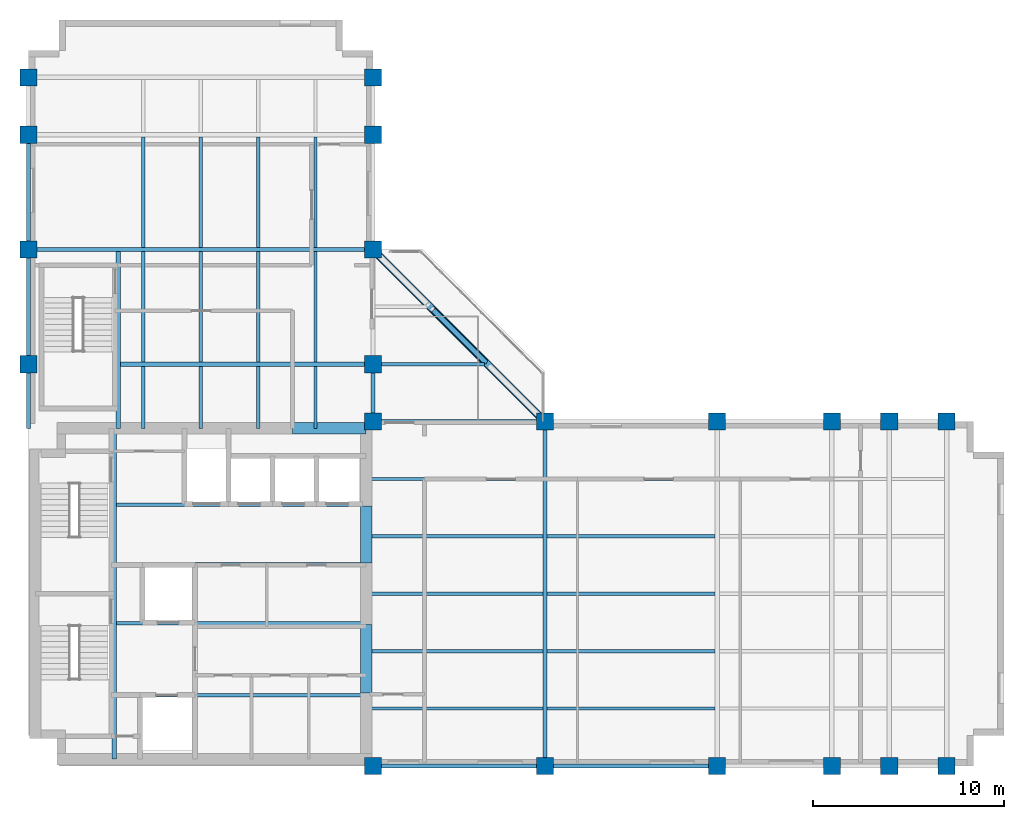
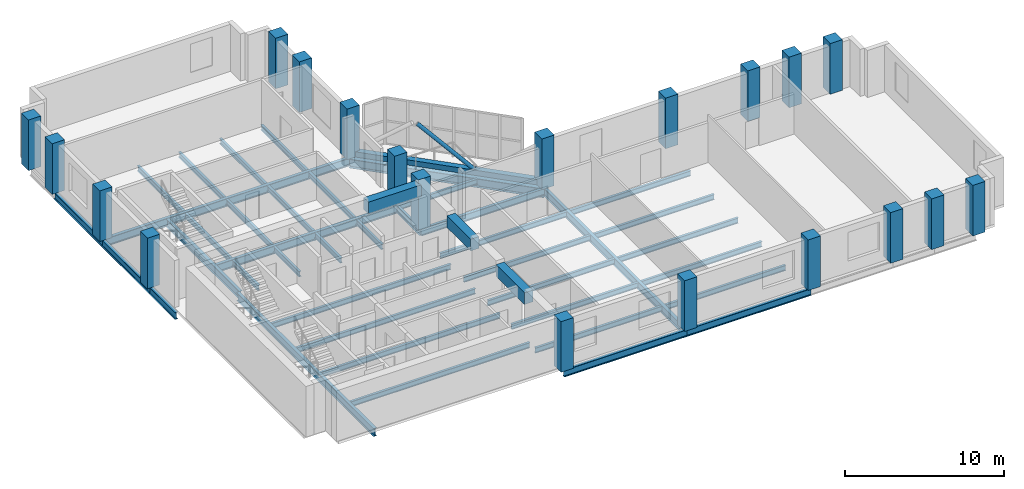
# One storey, part 1 of 9: 43 beams, 20 columns, 2 members.
"""IFC4 building model written with IfcOpenShell, lengths in metres."""

import ifcopenshell
import ifcopenshell.guid

model = None  # the IFC model being written
_history = None  # IfcOwnerHistory: only IFC2X3 demands one
_inside = {}  # id of a spatial element -> (the spatial element, [elements in it])
_under = {}  # id of a project, library or spatial element -> (it, [spatial elements below it])
_declared = {}  # id of a project -> (the project, [libraries it declares])
_typed = {}  # id of a type object -> (the type object, [elements of that type])
_made_of = {}  # id of a material, layer set ... -> (it, [elements and type objects made of it])


def new_model(schema):
    """Start an empty IFC model of exactly this schema.

    Asked for "IFC4X3", IfcOpenShell would pick the latest addendum, in which some entities
    have other attributes; the version numbers below select the first issue.
    IFC2X3 requires an IfcOwnerHistory on every rooted entity: one is made here for all.
    """
    global model, _history
    if schema == "IFC4X3":
        model = ifcopenshell.file(schema_version=(4, 3, 0, 0))
    else:
        model = ifcopenshell.file(schema=schema)
    _inside.clear()
    _under.clear()
    _declared.clear()
    _typed.clear()
    _made_of.clear()
    _history = None
    if model.schema == "IFC2X3":
        org = make("IfcOrganization", Name="unknown")
        user = make(
            "IfcPersonAndOrganization",
            ThePerson=make("IfcPerson", FamilyName="unknown"),
            TheOrganization=org,
        )
        app = make(
            "IfcApplication",
            ApplicationDeveloper=org,
            Version="unknown",
            ApplicationFullName="unknown",
            ApplicationIdentifier="unknown",
        )
        _history = make(
            "IfcOwnerHistory",
            OwningUser=user,
            OwningApplication=app,
            ChangeAction="ADDED",
            CreationDate=0,
        )
    return model


def make(cls, **values):
    """One entity of the class cls with the attributes given. An attribute that is None is left unset."""
    return model.create_entity(
        cls, **{name: value for name, value in values.items() if value is not None}
    )


def rooted(cls, **values):
    """An entity with a GlobalId (a new one), such as an element, a storey or a relation."""
    return make(cls, GlobalId=ifcopenshell.guid.new(), OwnerHistory=_history, **values)


def si_unit(unit_type, name, prefix=None):
    """IfcSIUnit, for example si_unit("LENGTHUNIT", "METRE", prefix="MILLI")."""
    return make("IfcSIUnit", UnitType=unit_type, Prefix=prefix, Name=name)


def assignment(units):
    """IfcUnitAssignment: the units of a project."""
    return None if units is None else make("IfcUnitAssignment", Units=units)


def point(xyz):
    """IfcCartesianPoint."""
    return None if xyz is None else make("IfcCartesianPoint", Coordinates=xyz)


def direction(xyz):
    """IfcDirection."""
    return None if xyz is None else make("IfcDirection", DirectionRatios=xyz)


def frame(location, z_axis=None, x_axis=None):
    """IfcAxis2Placement3D, a coordinate frame: its origin and axes. An axis left out is left unset."""
    return make(
        "IfcAxis2Placement3D",
        Location=point(location),
        Axis=direction(z_axis),
        RefDirection=direction(x_axis),
    )


def frame_2d(location, x_axis=None):
    """IfcAxis2Placement2D, a coordinate frame in the plane: its origin and x axis."""
    return make(
        "IfcAxis2Placement2D", Location=point(location), RefDirection=direction(x_axis)
    )


def origin():
    """The frame at (0, 0, 0) with its axes left unset."""
    return frame((0.0, 0.0, 0.0))


def origin_2d():
    """The frame at (0, 0) in the plane with its x axis left unset."""
    return frame_2d((0.0, 0.0))


def place(relative_to, where):
    """IfcLocalPlacement: puts the frame where relative to a parent placement (None: the world)."""
    return make(
        "IfcLocalPlacement", PlacementRelTo=relative_to, RelativePlacement=where
    )


def context(
    kind, dimensions, precision=None, world=None, true_north=None, identifier=None
):
    """IfcGeometricRepresentationContext, for example the 3D "Model" context."""
    return make(
        "IfcGeometricRepresentationContext",
        ContextIdentifier=identifier,
        ContextType=kind,
        CoordinateSpaceDimension=dimensions,
        Precision=precision,
        WorldCoordinateSystem=world,
        TrueNorth=true_north,
    )


def subcontext(parent, identifier, kind, view, scale=None):
    """IfcGeometricRepresentationSubContext, for example "Body" below "Model"."""
    return make(
        "IfcGeometricRepresentationSubContext",
        ContextIdentifier=identifier,
        ContextType=kind,
        ParentContext=parent,
        TargetScale=scale,
        TargetView=view,
    )


def project(units=None, contexts=None):
    """IfcProject with its units and contexts."""
    return rooted(
        "IfcProject",
        Name="project",
        RepresentationContexts=contexts,
        UnitsInContext=assignment(units),
    )


def spatial(cls, under=None, at=None, **own):
    """A site, building, storey or space (cls), placed at a placement, below another one or the project."""
    s = rooted(cls, ObjectPlacement=at, **own)
    if under is not None:
        _under.setdefault(under.id(), (under, []))[1].append(s)
    return s


def profile(cls, at=None, kind="AREA", **sizes):
    """A parametric profile (cls). Its sizes go by their IFC names, for example OverallWidth=200.0."""
    return make(cls, ProfileType=kind, Position=at, **sizes)


def rectangle(**sizes):
    """IfcRectangleProfileDef."""
    return profile("IfcRectangleProfileDef", **sizes)


def hollow_rectangle(**sizes):
    """IfcRectangleHollowProfileDef."""
    return profile("IfcRectangleHollowProfileDef", **sizes)


def hollow_circle(**sizes):
    """IfcCircleHollowProfileDef."""
    return profile("IfcCircleHollowProfileDef", **sizes)


def i_section(**sizes):
    """IfcIShapeProfileDef."""
    return profile("IfcIShapeProfileDef", **sizes)


def extrude(swept, where, along, depth):
    """IfcExtrudedAreaSolid: the profile swept, set in the frame where, extruded along a direction by depth."""
    return make(
        "IfcExtrudedAreaSolid",
        SweptArea=swept,
        Position=where,
        ExtrudedDirection=direction(along),
        Depth=depth,
    )


def shape(context_of_items, identifier, shape_type, items):
    """IfcShapeRepresentation: the items that make up one representation, for example the "Body"."""
    return make(
        "IfcShapeRepresentation",
        ContextOfItems=context_of_items,
        RepresentationIdentifier=identifier,
        RepresentationType=shape_type,
        Items=items,
    )


def material(Name=None, Category=None):
    """IfcMaterial."""
    return make("IfcMaterial", Name=Name, Category=Category)


def material_profile(
    of_material, cross_section, Name=None, Category=None, Priority=None
):
    """IfcMaterialProfile: a cross section and its material."""
    return make(
        "IfcMaterialProfile",
        Name=Name,
        Material=of_material,
        Profile=cross_section,
        Priority=Priority,
        Category=Category,
    )


def profile_set(profiles, Name=None, composite=None):
    """IfcMaterialProfileSet."""
    return make(
        "IfcMaterialProfileSet",
        Name=Name,
        MaterialProfiles=profiles,
        CompositeProfile=composite,
    )


def made_of(thing, what):
    """Note that an element or type object is made of a material, layer set ...; save() writes the relation."""
    if what is not None:
        _made_of.setdefault(what.id(), (what, []))[1].append(thing)
    return thing


def type_object(cls, material=None, **own):
    """A type object (cls), such as IfcWallType, which elements share."""
    return made_of(rooted(cls, **own), material)


def element(
    cls,
    number,
    at=None,
    inside=None,
    cuts=None,
    type_object=None,
    material=None,
    context=None,
    identifier="Body",
    shape_type=None,
    held_by="IfcProductDefinitionShape",
    body=None,
    shapes=None,
    **own,
):
    """One element of the class cls, such as IfcWall. Its Tag is "e" and its number.

    at: its placement. inside: the storey or other place that contains it. cuts: it is an
    opening in that element (IfcRelVoidsElement). A single representation is given by context,
    identifier, shape_type and body (its items); several are given by shapes. held_by: the class
    of the entity that holds the representations. save() writes the other relations.
    """
    e = rooted(cls, Tag="e%d" % number, ObjectPlacement=at, **own)
    if body is not None:
        shapes = [shape(context, identifier, shape_type, body)]
    if shapes is not None:
        e.Representation = make(held_by, Representations=shapes)
    if inside is not None:
        _inside.setdefault(inside.id(), (inside, []))[1].append(e)
    if cuts is not None:
        rooted(
            "IfcRelVoidsElement", RelatingBuildingElement=cuts, RelatedOpeningElement=e
        )
    if type_object is not None:
        _typed.setdefault(type_object.id(), (type_object, []))[1].append(e)
    return made_of(e, material)


def aggregate(whole, parts):
    """IfcRelAggregates: a whole, such as a stair, and the parts it consists of."""
    return rooted("IfcRelAggregates", RelatingObject=whole, RelatedObjects=parts)


def save(model, path):
    """Write the relations noted so far, then the file.

    IfcRelAggregates (storeys below a building ...), IfcRelContainedInSpatialStructure (elements
    in a storey), IfcRelDefinesByType, IfcRelAssociatesMaterial and IfcRelDeclares: one each for
    every whole, place, type object, material and project.
    """
    for whole, parts in _under.values():
        aggregate(whole, parts)
    for where, things in _inside.values():
        rooted(
            "IfcRelContainedInSpatialStructure",
            RelatedElements=things,
            RelatingStructure=where,
        )
    for kind, things in _typed.values():
        rooted("IfcRelDefinesByType", RelatedObjects=things, RelatingType=kind)
    for what, things in _made_of.values():
        rooted("IfcRelAssociatesMaterial", RelatedObjects=things, RelatingMaterial=what)
    for by, libraries in _declared.values():
        rooted("IfcRelDeclares", RelatingContext=by, RelatedDefinitions=libraries)
    model.write(path)


model = new_model("IFC4")

# Units and contexts
model_context = context("Model", 3, precision=1e-05, world=origin(), true_north=direction((0.0, 1.0)))
body_context = subcontext(model_context, "Body", "Model", "MODEL_VIEW")
ifc_project = project(units=[si_unit("LENGTHUNIT", "METRE"), si_unit("AREAUNIT", "SQUARE_METRE"), si_unit("VOLUMEUNIT", "CUBIC_METRE"), si_unit("PLANEANGLEUNIT", "RADIAN"), si_unit("MASSUNIT", "GRAM", prefix="KILO")], contexts=[model_context])

# Site, building, storey
site_placement = place(None, origin())
site = spatial("IfcSite", under=ifc_project, at=site_placement, CompositionType="ELEMENT")
building_placement = place(site_placement, origin())
building = spatial("IfcBuilding", under=site, at=building_placement, Name="Mawjdan Bourse Tower", CompositionType="ELEMENT")
storey_placement = place(building_placement, frame((0.0, 0.0, 222.89990234375)))
storey = spatial("IfcBuildingStorey", under=building, at=storey_placement, Name="L54", CompositionType="ELEMENT", Elevation=222.89990234375)

# Columns
ifc_material_1 = material(Name="Concrete C70/85", Category="concrete")
ifc_material_profile_1 = material_profile(ifc_material_1, rectangle(XDim=0.89990234375, YDim=0.89990234375, at=origin_2d()), Name="RC900X900")
ifc_profile_set_1 = profile_set([ifc_material_profile_1], Name="Concrete C70/85")
column_type = type_object("IfcColumnType", Name="COL-RC900X900", PredefinedType="COLUMN", material=ifc_profile_set_1)
for number, where, z_axis, x_axis, name in (
    (1, (24.0, 3.0, 0.0), (0.0, 0.0, 1.0), (1.0, 0.0, 0.0), "L54 Structural Column C-X240-Y30"),
    (2, (24.0, 21.0, 0.0), (0.0, 0.0, 1.0), (1.0, 0.0, 0.0), "L54 Structural Column C-X240-Y210"),
    (3, (33.0, 3.0, 0.0), (0.0, 0.0, 1.0), (1.0, 0.0, 0.0), "L54 Structural Column C-X330-Y30"),
    (4, (33.0, 21.0, 0.0), (0.0, 0.0, 1.0), (1.0, 0.0, 0.0), "L54 Structural Column C-X330-Y210"),
    (5, (42.0, 3.0, 0.0), (0.0, 0.0, 1.0), (1.0, 0.0, 0.0), "L54 Structural Column C-X420-Y30"),
    (6, (42.0, 21.0, 0.0), (0.0, 0.0, 1.0), (1.0, 0.0, 0.0), "L54 Structural Column C-X420-Y210"),
    (7, (48.0, 3.0, 0.0), (0.0, 0.0, 1.0), (1.0, 0.0, 0.0), "L54 Structural Column C-X480-Y30"),
    (8, (48.0, 21.0, 0.0), (0.0, 0.0, 1.0), (1.0, 0.0, 0.0), "L54 Structural Column C-X480-Y210"),
    (9, (51.0, 3.0, 0.0), (0.0, 0.0, 1.0), (1.0, 0.0, 0.0), "L54 Structural Column C-X510-Y30"),
    (10, (51.0, 21.0, 0.0), (0.0, 0.0, 1.0), (1.0, 0.0, 0.0), "L54 Structural Column C-X510-Y210"),
    (11, (54.0, 3.0, 0.0), (0.0, 0.0, 1.0), (1.0, 0.0, 0.0), "L54 Structural Column C-X540-Y30"),
    (12, (54.0, 21.0, 0.0), (0.0, 0.0, 1.0), (1.0, 0.0, 0.0), "L54 Structural Column C-X540-Y210"),
    (13, (6.0, 24.0, 0.0), (0.0, 0.0, 1.0), (1.0, 0.0, 0.0), "L54 Structural Column C-X60-Y240"),
    (14, (24.0, 24.0, 0.0), (0.0, 0.0, 1.0), (1.0, 0.0, 0.0), "L54 Structural Column C-X240-Y240"),
    (15, (6.0, 30.0, 0.0), (0.0, 0.0, 1.0), (1.0, 0.0, 0.0), "L54 Structural Column C-X60-Y300"),
    (16, (24.0, 30.0, 0.0), (0.0, 0.0, 1.0), (1.0, 0.0, 0.0), "L54 Structural Column C-X240-Y300"),
    (17, (6.0, 36.0, 0.0), (0.0, 0.0, 1.0), (1.0, 0.0, 0.0), "L54 Structural Column C-X60-Y360"),
    (18, (24.0, 36.0, 0.0), (0.0, 0.0, 1.0), (1.0, 0.0, 0.0), "L54 Structural Column C-X240-Y360"),
    (19, (6.0, 39.0, 0.0), (0.0, 0.0, 1.0), (1.0, 0.0, 0.0), "L54 Structural Column C-X60-Y390"),
    (20, (24.0, 39.0, 0.0), (0.0, 0.0, 1.0), (1.0, 0.0, 0.0), "L54 Structural Column C-X240-Y390"),
):
    element("IfcColumn", number, at=place(storey_placement, frame(where, z_axis=z_axis, x_axis=x_axis)), inside=storey, type_object=column_type, Name=name, PredefinedType="COLUMN", context=body_context, shape_type="SweptSolid", body=[
        extrude(rectangle(XDim=0.89990234375, YDim=0.89990234375, at=origin_2d()), origin(), (0.0, 0.0, 1.0), 3.900146484375),
    ])

# Member
ifc_material_2 = material(Name="Structural Steel S355", Category="steel")
ifc_material_profile_2 = material_profile(ifc_material_2, hollow_circle(Radius=0.136474609375, WallThickness=0.012451171875, at=origin_2d()), Name="CHS273X12.5")
ifc_profile_set_2 = profile_set([ifc_material_profile_2], Name="Structural Steel S355")
member_type_1 = type_object("IfcMemberType", Name="BRC-CHS273X12.5", PredefinedType="BRACE", material=ifc_profile_set_2)
member_1_placement = place(storey_placement, frame((27.1201171875, 26.8798828125, 3.170166015625), z_axis=(0.562709851517, -0.562709851517, -0.605570182564), x_axis=(0.707106781187, 0.707106781187, 0.0)))
element("IfcMember", 21, at=member_1_placement, inside=storey, type_object=member_type_1, Name="L54 Atrium Sky Bridge Truss Diagonal 2", PredefinedType="BRACE", context=body_context, shape_type="SweptSolid", body=[
    extrude(hollow_circle(Radius=0.136474609375, WallThickness=0.012451171875, at=origin_2d()), origin(), (0.0, 0.0, 1.0), 4.904541015625),
])

# Beam
ifc_material_profile_3 = material_profile(ifc_material_2, i_section(OverallWidth=0.35498046875, OverallDepth=0.696044921875, WebThickness=0.015380859375, FlangeThickness=0.02490234375, FilletRadius=0.019775390625, at=origin_2d()), Name="W27X146")
ifc_profile_set_3 = profile_set([ifc_material_profile_3], Name="Structural Steel S355")
beam_type_1 = type_object("IfcBeamType", Name="BRG-GRD-W27X146", PredefinedType="BEAM", material=ifc_profile_set_3)
beam_1_placement = place(storey_placement, frame((24.0, 30.0, -0.597900390625), z_axis=(0.707106781187, -0.707106781187, 0.0), x_axis=(0.707106781187, 0.707106781187, 0.0)))
element("IfcBeam", 22, at=beam_1_placement, inside=storey, type_object=beam_type_1, Name="L54 Atrium Sky Bridge Diagonal Girder 075", PredefinedType="BEAM", context=body_context, shape_type="SweptSolid", body=[
    extrude(i_section(OverallWidth=0.35498046875, OverallDepth=0.696044921875, WebThickness=0.015380859375, FlangeThickness=0.02490234375, FilletRadius=0.019775390625, at=origin_2d()), origin(), (0.0, 0.0, 1.0), 12.72802734375),
])

# Member
ifc_material_3 = material(Name="Structural Steel S460", Category="steel")
ifc_material_profile_4 = material_profile(ifc_material_3, hollow_rectangle(XDim=0.39990234375, YDim=0.39990234375, WallThickness=0.01611328125, at=origin_2d()), Name="HSS400X400X16")
ifc_profile_set_4 = profile_set([ifc_material_profile_4], Name="Structural Steel S460")
member_type_2 = type_object("IfcMemberType", Name="CHD-HSS400X400X16", PredefinedType="CHORD", material=ifc_profile_set_4)
member_2_placement = place(storey_placement, frame((24.0, 30.0, 0.2001953125), z_axis=(0.707106781187, -0.707106781187, 0.0), x_axis=(0.707106781187, 0.707106781187, 0.0)))
element("IfcMember", 23, at=member_2_placement, inside=storey, type_object=member_type_2, Name="L54 Atrium Sky Bridge Truss Bottom Chord", PredefinedType="CHORD", context=body_context, shape_type="SweptSolid", body=[
    extrude(hollow_rectangle(XDim=0.39990234375, YDim=0.39990234375, WallThickness=0.01611328125, at=origin_2d()), origin(), (0.0, 0.0, 1.0), 12.72802734375),
])

# Beams
ifc_material_profile_5 = material_profile(ifc_material_2, i_section(OverallWidth=0.22998046875, OverallDepth=0.616943359375, WebThickness=0.01318359375, FlangeThickness=0.022216796875, FilletRadius=0.017822265625, at=origin_2d()), Name="W24X94")
ifc_profile_set_5 = profile_set([ifc_material_profile_5], Name="Structural Steel S355")
beam_type_2 = type_object("IfcBeamType", Name="GRD-W24X94", PredefinedType="BEAM", material=ifc_profile_set_5)
beam_2_placement = place(storey_placement, frame((10.47998046875, 3.35009765625, -0.50830078125), z_axis=(0.0, 1.0, 0.0), x_axis=(-1.0, 0.0, 0.0)))
element("IfcBeam", 24, at=beam_2_placement, inside=storey, type_object=beam_type_2, Name="L54 Core Stair Trimmer Girder 001", PredefinedType="BEAM", context=body_context, shape_type="SweptSolid", body=[
    extrude(i_section(OverallWidth=0.22998046875, OverallDepth=0.616943359375, WebThickness=0.01318359375, FlangeThickness=0.022216796875, FilletRadius=0.017822265625, at=origin_2d()), origin(), (0.0, 0.0, 1.0), 17.2998046875),
])
beam_3_placement = place(storey_placement, frame((33.0, 3.0, -0.50830078125), z_axis=(0.0, 1.0, 0.0), x_axis=(-1.0, 0.0, 0.0)))
element("IfcBeam", 25, at=beam_3_placement, inside=storey, type_object=beam_type_2, Name="L54 East Wing Clear-Span Girder 002", PredefinedType="BEAM", context=body_context, shape_type="SweptSolid", body=[
    extrude(i_section(OverallWidth=0.22998046875, OverallDepth=0.616943359375, WebThickness=0.01318359375, FlangeThickness=0.022216796875, FilletRadius=0.017822265625, at=origin_2d()), origin(), (0.0, 0.0, 1.0), 18.0),
])
beam_4_placement = place(storey_placement, frame((10.679931640625, 20.64990234375, -0.50830078125), z_axis=(0.0, 1.0, 0.0), x_axis=(-1.0, 0.0, 0.0)))
element("IfcBeam", 26, at=beam_4_placement, inside=storey, type_object=beam_type_2, Name="L54 North Wing Stair Trimmer Girder 046", PredefinedType="BEAM", context=body_context, shape_type="SweptSolid", body=[
    extrude(i_section(OverallWidth=0.22998046875, OverallDepth=0.616943359375, WebThickness=0.01318359375, FlangeThickness=0.022216796875, FilletRadius=0.017822265625, at=origin_2d()), origin(), (0.0, 0.0, 1.0), 9.237060546875),
])
beam_5_placement = place(storey_placement, frame((10.79296875, 24.0, -0.50830078125), z_axis=(1.0, 0.0, 0.0), x_axis=(0.0, 1.0, 0.0)))
element("IfcBeam", 27, at=beam_5_placement, inside=storey, type_object=beam_type_2, Name="L54 North Wing Clear-Span Girder 047", PredefinedType="BEAM", context=body_context, shape_type="SweptSolid", body=[
    extrude(i_section(OverallWidth=0.22998046875, OverallDepth=0.616943359375, WebThickness=0.01318359375, FlangeThickness=0.022216796875, FilletRadius=0.017822265625, at=origin_2d()), origin(), (0.0, 0.0, 1.0), 13.20703125),
])
beam_6_placement = place(storey_placement, frame((6.0, 30.0, -0.50830078125), z_axis=(1.0, 0.0, 0.0), x_axis=(0.0, 1.0, 0.0)))
element("IfcBeam", 28, at=beam_6_placement, inside=storey, type_object=beam_type_2, Name="L54 North Wing Clear-Span Girder 048", PredefinedType="BEAM", context=body_context, shape_type="SweptSolid", body=[
    extrude(i_section(OverallWidth=0.22998046875, OverallDepth=0.616943359375, WebThickness=0.01318359375, FlangeThickness=0.022216796875, FilletRadius=0.017822265625, at=origin_2d()), origin(), (0.0, 0.0, 1.0), 18.0),
])
ifc_material_profile_6 = material_profile(ifc_material_2, i_section(OverallWidth=0.177978515625, OverallDepth=0.406982421875, WebThickness=0.0078125, FlangeThickness=0.0126953125, FilletRadius=0.01025390625, at=origin_2d()), Name="W16X40")
ifc_profile_set_6 = profile_set([ifc_material_profile_6], Name="Structural Steel S355")
beam_type_3 = type_object("IfcBeamType", Name="JST-W16X40", PredefinedType="JOIST", material=ifc_profile_set_6)
beam_7_placement = place(storey_placement, frame((23.64990234375, 6.0, -0.4033203125), z_axis=(1.0, 0.0, 0.0), x_axis=(0.0, 1.0, 0.0)))
element("IfcBeam", 29, at=beam_7_placement, inside=storey, type_object=beam_type_3, Name="L54 East Wing Composite Joist 017", PredefinedType="JOIST", context=body_context, shape_type="SweptSolid", body=[
    extrude(i_section(OverallWidth=0.177978515625, OverallDepth=0.406982421875, WebThickness=0.0078125, FlangeThickness=0.0126953125, FilletRadius=0.01025390625, at=origin_2d()), origin(), (0.0, 0.0, 1.0), 9.237060546875),
])
beam_8_placement = place(storey_placement, frame((33.113037109375, 6.0, -0.4033203125), z_axis=(1.0, 0.0, 0.0), x_axis=(0.0, 1.0, 0.0)))
element("IfcBeam", 30, at=beam_8_placement, inside=storey, type_object=beam_type_3, Name="L54 East Wing Composite Joist 018", PredefinedType="JOIST", context=body_context, shape_type="SweptSolid", body=[
    extrude(i_section(OverallWidth=0.177978515625, OverallDepth=0.406982421875, WebThickness=0.0078125, FlangeThickness=0.0126953125, FilletRadius=0.01025390625, at=origin_2d()), origin(), (0.0, 0.0, 1.0), 8.77392578125),
])
beam_9_placement = place(storey_placement, frame((23.64990234375, 9.0, -0.4033203125), z_axis=(1.0, 0.0, 0.0), x_axis=(0.0, 1.0, 0.0)))
element("IfcBeam", 31, at=beam_9_placement, inside=storey, type_object=beam_type_3, Name="L54 East Wing Composite Joist 022", PredefinedType="JOIST", context=body_context, shape_type="SweptSolid", body=[
    extrude(i_section(OverallWidth=0.177978515625, OverallDepth=0.406982421875, WebThickness=0.0078125, FlangeThickness=0.0126953125, FilletRadius=0.01025390625, at=origin_2d()), origin(), (0.0, 0.0, 1.0), 9.237060546875),
])
beam_10_placement = place(storey_placement, frame((33.113037109375, 9.0, -0.4033203125), z_axis=(1.0, 0.0, 0.0), x_axis=(0.0, 1.0, 0.0)))
element("IfcBeam", 32, at=beam_10_placement, inside=storey, type_object=beam_type_3, Name="L54 East Wing Composite Joist 023", PredefinedType="JOIST", context=body_context, shape_type="SweptSolid", body=[
    extrude(i_section(OverallWidth=0.177978515625, OverallDepth=0.406982421875, WebThickness=0.0078125, FlangeThickness=0.0126953125, FilletRadius=0.01025390625, at=origin_2d()), origin(), (0.0, 0.0, 1.0), 8.77392578125),
])
beam_11_placement = place(storey_placement, frame((23.64990234375, 12.0, -0.4033203125), z_axis=(1.0, 0.0, 0.0), x_axis=(0.0, 1.0, 0.0)))
element("IfcBeam", 33, at=beam_11_placement, inside=storey, type_object=beam_type_3, Name="L54 East Wing Composite Joist 027", PredefinedType="JOIST", context=body_context, shape_type="SweptSolid", body=[
    extrude(i_section(OverallWidth=0.177978515625, OverallDepth=0.406982421875, WebThickness=0.0078125, FlangeThickness=0.0126953125, FilletRadius=0.01025390625, at=origin_2d()), origin(), (0.0, 0.0, 1.0), 9.237060546875),
])
beam_12_placement = place(storey_placement, frame((33.113037109375, 12.0, -0.4033203125), z_axis=(1.0, 0.0, 0.0), x_axis=(0.0, 1.0, 0.0)))
element("IfcBeam", 34, at=beam_12_placement, inside=storey, type_object=beam_type_3, Name="L54 East Wing Composite Joist 028", PredefinedType="JOIST", context=body_context, shape_type="SweptSolid", body=[
    extrude(i_section(OverallWidth=0.177978515625, OverallDepth=0.406982421875, WebThickness=0.0078125, FlangeThickness=0.0126953125, FilletRadius=0.01025390625, at=origin_2d()), origin(), (0.0, 0.0, 1.0), 8.77392578125),
])
beam_13_placement = place(storey_placement, frame((23.64990234375, 15.0, -0.4033203125), z_axis=(1.0, 0.0, 0.0), x_axis=(0.0, 1.0, 0.0)))
element("IfcBeam", 35, at=beam_13_placement, inside=storey, type_object=beam_type_3, Name="L54 East Wing Composite Joist 032", PredefinedType="JOIST", context=body_context, shape_type="SweptSolid", body=[
    extrude(i_section(OverallWidth=0.177978515625, OverallDepth=0.406982421875, WebThickness=0.0078125, FlangeThickness=0.0126953125, FilletRadius=0.01025390625, at=origin_2d()), origin(), (0.0, 0.0, 1.0), 9.237060546875),
])
beam_14_placement = place(storey_placement, frame((33.113037109375, 15.0, -0.4033203125), z_axis=(1.0, 0.0, 0.0), x_axis=(0.0, 1.0, 0.0)))
element("IfcBeam", 36, at=beam_14_placement, inside=storey, type_object=beam_type_3, Name="L54 East Wing Composite Joist 033", PredefinedType="JOIST", context=body_context, shape_type="SweptSolid", body=[
    extrude(i_section(OverallWidth=0.177978515625, OverallDepth=0.406982421875, WebThickness=0.0078125, FlangeThickness=0.0126953125, FilletRadius=0.01025390625, at=origin_2d()), origin(), (0.0, 0.0, 1.0), 8.77392578125),
])
beam_15_placement = place(storey_placement, frame((23.64990234375, 18.0, -0.4033203125), z_axis=(1.0, 0.0, 0.0), x_axis=(0.0, 1.0, 0.0)))
element("IfcBeam", 37, at=beam_15_placement, inside=storey, type_object=beam_type_3, Name="L54 East Wing Composite Joist 037", PredefinedType="JOIST", context=body_context, shape_type="SweptSolid", body=[
    extrude(i_section(OverallWidth=0.177978515625, OverallDepth=0.406982421875, WebThickness=0.0078125, FlangeThickness=0.0126953125, FilletRadius=0.01025390625, at=origin_2d()), origin(), (0.0, 0.0, 1.0), 9.237060546875),
])
beam_16_placement = place(storey_placement, frame((33.113037109375, 18.0, -0.4033203125), z_axis=(1.0, 0.0, 0.0), x_axis=(0.0, 1.0, 0.0)))
element("IfcBeam", 38, at=beam_16_placement, inside=storey, type_object=beam_type_3, Name="L54 East Wing Composite Joist 038", PredefinedType="JOIST", context=body_context, shape_type="SweptSolid", body=[
    extrude(i_section(OverallWidth=0.177978515625, OverallDepth=0.406982421875, WebThickness=0.0078125, FlangeThickness=0.0126953125, FilletRadius=0.01025390625, at=origin_2d()), origin(), (0.0, 0.0, 1.0), 8.77392578125),
])
for number, where, z_axis, x_axis, name in (
    (39, (10.593017578125, 6.699951171875, -0.4033203125), (1.0, 0.0, 0.0), (0.0, 1.0, 0.0), "L54 Core Floor Joist 042"),
    (40, (10.593017578125, 10.449951171875, -0.4033203125), (1.0, 0.0, 0.0), (0.0, 1.0, 0.0), "L54 Core Floor Joist 043"),
    (41, (10.593017578125, 13.550048828125, -0.4033203125), (1.0, 0.0, 0.0), (0.0, 1.0, 0.0), "L54 Core Floor Joist 044"),
    (42, (10.593017578125, 16.64990234375, -0.4033203125), (1.0, 0.0, 0.0), (0.0, 1.0, 0.0), "L54 Core Floor Joist 045"),
):
    element("IfcBeam", number, at=place(storey_placement, frame(where, z_axis=z_axis, x_axis=x_axis)), inside=storey, type_object=beam_type_3, Name=name, PredefinedType="JOIST", context=body_context, shape_type="SweptSolid", body=[
        extrude(i_section(OverallWidth=0.177978515625, OverallDepth=0.406982421875, WebThickness=0.0078125, FlangeThickness=0.0126953125, FilletRadius=0.01025390625, at=origin_2d()), origin(), (0.0, 0.0, 1.0), 13.056884765625),
    ])
beam_17_placement = place(storey_placement, frame((12.0, 20.64990234375, -0.4033203125), z_axis=(0.0, 1.0, 0.0), x_axis=(-1.0, 0.0, 0.0)))
element("IfcBeam", 43, at=beam_17_placement, inside=storey, type_object=beam_type_3, Name="L54 North Wing Composite Joist 059", PredefinedType="JOIST", context=body_context, shape_type="SweptSolid", body=[
    extrude(i_section(OverallWidth=0.177978515625, OverallDepth=0.406982421875, WebThickness=0.0078125, FlangeThickness=0.0126953125, FilletRadius=0.01025390625, at=origin_2d()), origin(), (0.0, 0.0, 1.0), 3.237060546875),
])
for number, where, z_axis, x_axis, name in (
    (44, (12.0, 24.113037109375, -0.4033203125), (0.0, 1.0, 0.0), (-1.0, 0.0, 0.0), "L54 North Wing Composite Joist 060"),
    (45, (12.0, 30.113037109375, -0.4033203125), (0.0, 1.0, 0.0), (-1.0, 0.0, 0.0), "L54 North Wing Composite Joist 061"),
):
    element("IfcBeam", number, at=place(storey_placement, frame(where, z_axis=z_axis, x_axis=x_axis)), inside=storey, type_object=beam_type_3, Name=name, PredefinedType="JOIST", context=body_context, shape_type="SweptSolid", body=[
        extrude(i_section(OverallWidth=0.177978515625, OverallDepth=0.406982421875, WebThickness=0.0078125, FlangeThickness=0.0126953125, FilletRadius=0.01025390625, at=origin_2d()), origin(), (0.0, 0.0, 1.0), 5.77392578125),
    ])
beam_18_placement = place(storey_placement, frame((15.0, 20.64990234375, -0.4033203125), z_axis=(0.0, 1.0, 0.0), x_axis=(-1.0, 0.0, 0.0)))
element("IfcBeam", 46, at=beam_18_placement, inside=storey, type_object=beam_type_3, Name="L54 North Wing Composite Joist 063", PredefinedType="JOIST", context=body_context, shape_type="SweptSolid", body=[
    extrude(i_section(OverallWidth=0.177978515625, OverallDepth=0.406982421875, WebThickness=0.0078125, FlangeThickness=0.0126953125, FilletRadius=0.01025390625, at=origin_2d()), origin(), (0.0, 0.0, 1.0), 3.237060546875),
])
for number, where, z_axis, x_axis, name in (
    (47, (15.0, 24.113037109375, -0.4033203125), (0.0, 1.0, 0.0), (-1.0, 0.0, 0.0), "L54 North Wing Composite Joist 064"),
    (48, (15.0, 30.113037109375, -0.4033203125), (0.0, 1.0, 0.0), (-1.0, 0.0, 0.0), "L54 North Wing Composite Joist 065"),
):
    element("IfcBeam", number, at=place(storey_placement, frame(where, z_axis=z_axis, x_axis=x_axis)), inside=storey, type_object=beam_type_3, Name=name, PredefinedType="JOIST", context=body_context, shape_type="SweptSolid", body=[
        extrude(i_section(OverallWidth=0.177978515625, OverallDepth=0.406982421875, WebThickness=0.0078125, FlangeThickness=0.0126953125, FilletRadius=0.01025390625, at=origin_2d()), origin(), (0.0, 0.0, 1.0), 5.77392578125),
    ])
beam_19_placement = place(storey_placement, frame((18.0, 20.64990234375, -0.4033203125), z_axis=(0.0, 1.0, 0.0), x_axis=(-1.0, 0.0, 0.0)))
element("IfcBeam", 49, at=beam_19_placement, inside=storey, type_object=beam_type_3, Name="L54 North Wing Composite Joist 067", PredefinedType="JOIST", context=body_context, shape_type="SweptSolid", body=[
    extrude(i_section(OverallWidth=0.177978515625, OverallDepth=0.406982421875, WebThickness=0.0078125, FlangeThickness=0.0126953125, FilletRadius=0.01025390625, at=origin_2d()), origin(), (0.0, 0.0, 1.0), 3.237060546875),
])
for number, where, z_axis, x_axis, name in (
    (50, (18.0, 24.113037109375, -0.4033203125), (0.0, 1.0, 0.0), (-1.0, 0.0, 0.0), "L54 North Wing Composite Joist 068"),
    (51, (18.0, 30.113037109375, -0.4033203125), (0.0, 1.0, 0.0), (-1.0, 0.0, 0.0), "L54 North Wing Composite Joist 069"),
):
    element("IfcBeam", number, at=place(storey_placement, frame(where, z_axis=z_axis, x_axis=x_axis)), inside=storey, type_object=beam_type_3, Name=name, PredefinedType="JOIST", context=body_context, shape_type="SweptSolid", body=[
        extrude(i_section(OverallWidth=0.177978515625, OverallDepth=0.406982421875, WebThickness=0.0078125, FlangeThickness=0.0126953125, FilletRadius=0.01025390625, at=origin_2d()), origin(), (0.0, 0.0, 1.0), 5.77392578125),
    ])
beam_20_placement = place(storey_placement, frame((21.0, 20.64990234375, -0.4033203125), z_axis=(0.0, 1.0, 0.0), x_axis=(-1.0, 0.0, 0.0)))
element("IfcBeam", 52, at=beam_20_placement, inside=storey, type_object=beam_type_3, Name="L54 North Wing Composite Joist 071", PredefinedType="JOIST", context=body_context, shape_type="SweptSolid", body=[
    extrude(i_section(OverallWidth=0.177978515625, OverallDepth=0.406982421875, WebThickness=0.0078125, FlangeThickness=0.0126953125, FilletRadius=0.01025390625, at=origin_2d()), origin(), (0.0, 0.0, 1.0), 3.237060546875),
])
for number, where, z_axis, x_axis, name in (
    (53, (21.0, 24.113037109375, -0.4033203125), (0.0, 1.0, 0.0), (-1.0, 0.0, 0.0), "L54 North Wing Composite Joist 072"),
    (54, (21.0, 30.113037109375, -0.4033203125), (0.0, 1.0, 0.0), (-1.0, 0.0, 0.0), "L54 North Wing Composite Joist 073"),
):
    element("IfcBeam", number, at=place(storey_placement, frame(where, z_axis=z_axis, x_axis=x_axis)), inside=storey, type_object=beam_type_3, Name=name, PredefinedType="JOIST", context=body_context, shape_type="SweptSolid", body=[
        extrude(i_section(OverallWidth=0.177978515625, OverallDepth=0.406982421875, WebThickness=0.0078125, FlangeThickness=0.0126953125, FilletRadius=0.01025390625, at=origin_2d()), origin(), (0.0, 0.0, 1.0), 5.77392578125),
    ])
beam_21_placement = place(storey_placement, frame((24.10302734375, 24.0, -0.453369140625), z_axis=(1.0, 0.0, 0.0), x_axis=(0.0, 1.0, 0.0)))
element("IfcBeam", 55, at=beam_21_placement, inside=storey, type_object=beam_type_3, Name="L54 Atrium Sky Bridge Deck Joist 076", PredefinedType="JOIST", context=body_context, shape_type="SweptSolid", body=[
    extrude(i_section(OverallWidth=0.177978515625, OverallDepth=0.406982421875, WebThickness=0.0078125, FlangeThickness=0.0126953125, FilletRadius=0.01025390625, at=origin_2d()), origin(), (0.0, 0.0, 1.0), 5.721435546875),
])
ifc_material_profile_7 = material_profile(ifc_material_1, rectangle(XDim=0.60009765625, YDim=0.89990234375, at=origin_2d()), Name="RCB600X900")
ifc_profile_set_7 = profile_set([ifc_material_profile_7], Name="Concrete C70/85")
beam_type_4 = type_object("IfcBeamType", Name="LNT-RCB600X900", PredefinedType="LINTEL", material=ifc_profile_set_7)
beam_22_placement = place(storey_placement, frame((23.64990234375, 6.800048828125, 3.170166015625), z_axis=(0.0, 1.0, 0.0), x_axis=(-1.0, 0.0, 0.0)))
element("IfcBeam", 56, at=beam_22_placement, inside=storey, type_object=beam_type_4, Name="L54 Coupled Core Lintel CB-E1", PredefinedType="LINTEL", context=body_context, shape_type="SweptSolid", body=[
    extrude(rectangle(XDim=0.60009765625, YDim=0.89990234375, at=origin_2d()), origin(), (0.0, 0.0, 1.0), 3.599853515625),
])
beam_23_placement = place(storey_placement, frame((23.64990234375, 13.60009765625, 3.170166015625), z_axis=(0.0, 1.0, 0.0), x_axis=(-1.0, 0.0, 0.0)))
element("IfcBeam", 57, at=beam_23_placement, inside=storey, type_object=beam_type_4, Name="L54 Coupled Core Lintel CB-E2", PredefinedType="LINTEL", context=body_context, shape_type="SweptSolid", body=[
    extrude(rectangle(XDim=0.60009765625, YDim=0.89990234375, at=origin_2d()), origin(), (0.0, 0.0, 1.0), 3.0),
])
beam_24_placement = place(storey_placement, frame((19.800048828125, 20.64990234375, 3.170166015625), z_axis=(1.0, 0.0, 0.0), x_axis=(0.0, 1.0, 0.0)))
element("IfcBeam", 58, at=beam_24_placement, inside=storey, type_object=beam_type_4, Name="L54 Coupled Core Lintel CB-N1", PredefinedType="LINTEL", context=body_context, shape_type="SweptSolid", body=[
    extrude(rectangle(XDim=0.60009765625, YDim=0.89990234375, at=origin_2d()), origin(), (0.0, 0.0, 1.0), 3.849853515625),
])
ifc_material_profile_8 = material_profile(ifc_material_2, i_section(OverallWidth=0.2099609375, OverallDepth=0.537109375, WebThickness=0.010986328125, FlangeThickness=0.017333984375, FilletRadius=0.013916015625, at=origin_2d()), Name="W21X68")
ifc_profile_set_8 = profile_set([ifc_material_profile_8], Name="Structural Steel S355")
beam_type_5 = type_object("IfcBeamType", Name="SPN-W21X68", PredefinedType="SPANDREL", material=ifc_profile_set_8)
for number, where, z_axis, x_axis, name in (
    (59, (24.0, 3.0, -0.468505859375), (1.0, 0.0, 0.0), (0.0, 1.0, 0.0), "L54 Perimeter Masonry-Shelf Spandrel 007"),
    (60, (33.0, 3.0, -0.468505859375), (1.0, 0.0, 0.0), (0.0, 1.0, 0.0), "L54 Perimeter Masonry-Shelf Spandrel 008"),
    (61, (24.0, 21.0, -0.518310546875), (1.0, 0.0, 0.0), (0.0, 1.0, 0.0), "L54 Sky Bridge Interface Spandrel 012"),
):
    element("IfcBeam", number, at=place(storey_placement, frame(where, z_axis=z_axis, x_axis=x_axis)), inside=storey, type_object=beam_type_5, Name=name, PredefinedType="SPANDREL", context=body_context, shape_type="SweptSolid", body=[
        extrude(i_section(OverallWidth=0.2099609375, OverallDepth=0.537109375, WebThickness=0.010986328125, FlangeThickness=0.017333984375, FilletRadius=0.013916015625, at=origin_2d()), origin(), (0.0, 0.0, 1.0), 9.0),
    ])
beam_25_placement = place(storey_placement, frame((6.0, 20.64990234375, -0.468505859375), z_axis=(0.0, 1.0, 0.0), x_axis=(-1.0, 0.0, 0.0)))
element("IfcBeam", 62, at=beam_25_placement, inside=storey, type_object=beam_type_5, Name="L54 North Wing Spandrel 051", PredefinedType="SPANDREL", context=body_context, shape_type="SweptSolid", body=[
    extrude(i_section(OverallWidth=0.2099609375, OverallDepth=0.537109375, WebThickness=0.010986328125, FlangeThickness=0.017333984375, FilletRadius=0.013916015625, at=origin_2d()), origin(), (0.0, 0.0, 1.0), 3.35009765625),
])
for number, where, z_axis, x_axis, name in (
    (63, (6.0, 24.0, -0.468505859375), (0.0, 1.0, 0.0), (-1.0, 0.0, 0.0), "L54 North Wing Spandrel 052"),
    (64, (6.0, 30.0, -0.468505859375), (0.0, 1.0, 0.0), (-1.0, 0.0, 0.0), "L54 North Wing Spandrel 053"),
):
    element("IfcBeam", number, at=place(storey_placement, frame(where, z_axis=z_axis, x_axis=x_axis)), inside=storey, type_object=beam_type_5, Name=name, PredefinedType="SPANDREL", context=body_context, shape_type="SweptSolid", body=[
        extrude(i_section(OverallWidth=0.2099609375, OverallDepth=0.537109375, WebThickness=0.010986328125, FlangeThickness=0.017333984375, FilletRadius=0.013916015625, at=origin_2d()), origin(), (0.0, 0.0, 1.0), 6.0),
    ])
beam_26_placement = place(storey_placement, frame((24.0, 21.0, -0.518310546875), z_axis=(0.0, 1.0, 0.0), x_axis=(-1.0, 0.0, 0.0)))
element("IfcBeam", 65, at=beam_26_placement, inside=storey, type_object=beam_type_5, Name="L54 Sky Bridge West Interface Spandrel 055", PredefinedType="SPANDREL", context=body_context, shape_type="SweptSolid", body=[
    extrude(i_section(OverallWidth=0.2099609375, OverallDepth=0.537109375, WebThickness=0.010986328125, FlangeThickness=0.017333984375, FilletRadius=0.013916015625, at=origin_2d()), origin(), (0.0, 0.0, 1.0), 3.0),
])

save(model, "model.ifc")
